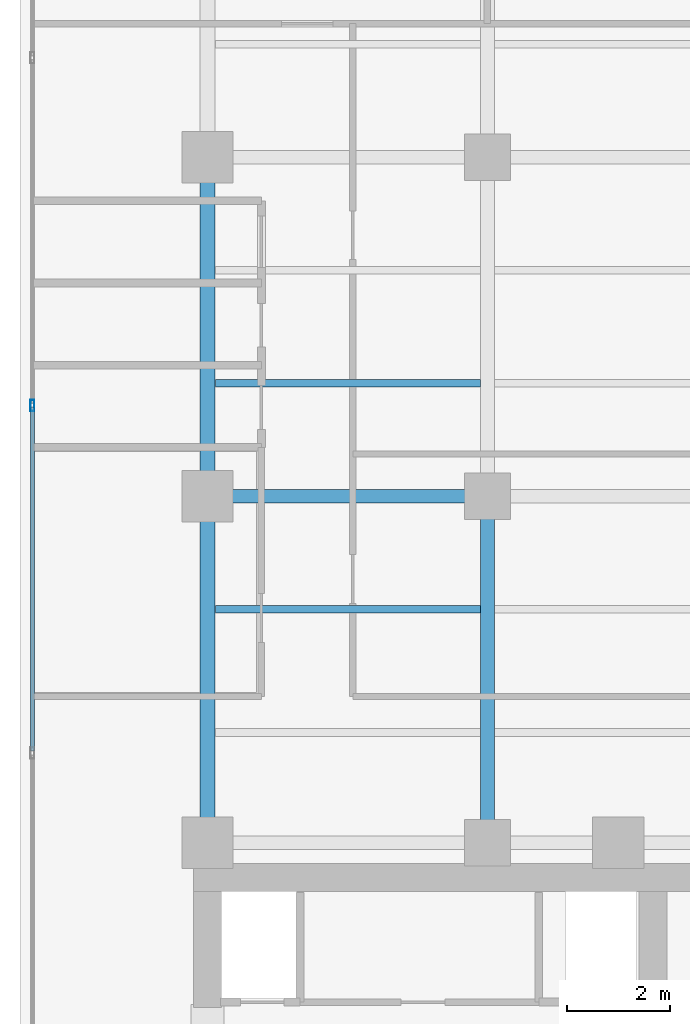
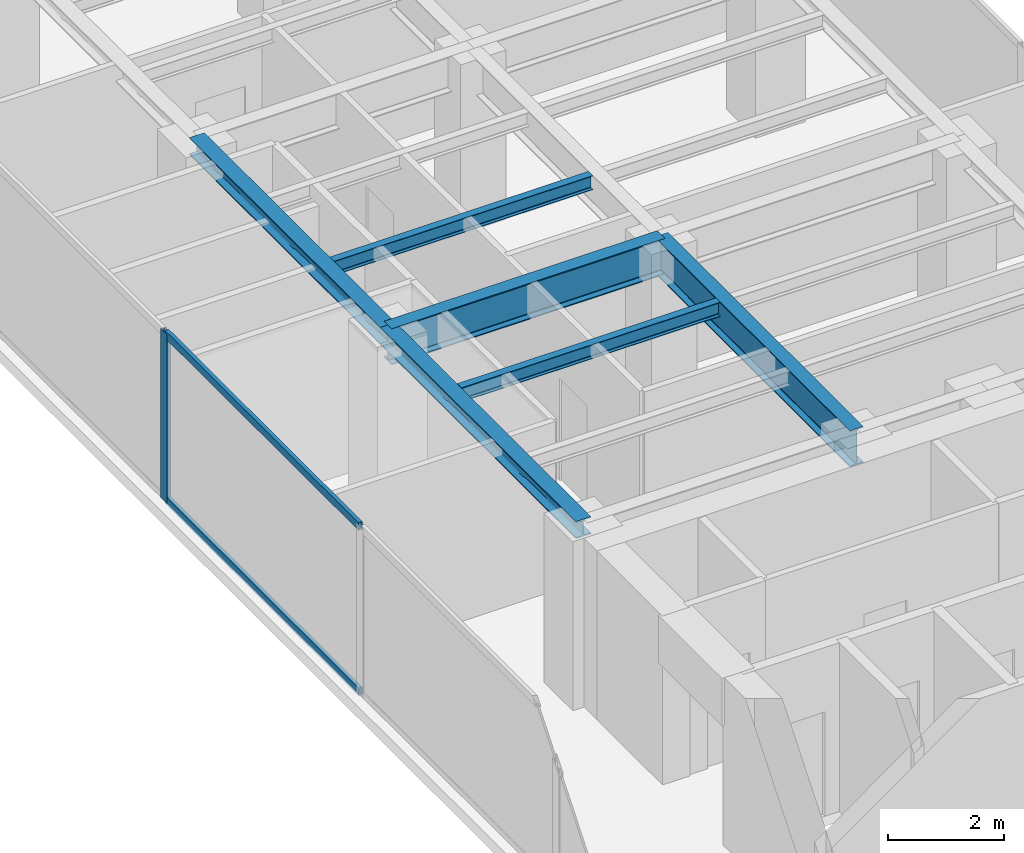
# One storey, part 8 of 23: 6 beams, 3 members, 1 element without a shape of its own.
"""IFC4 building model written with IfcOpenShell, lengths in metres."""

import ifcopenshell
import ifcopenshell.guid

model = None  # the IFC model being written
_history = None  # IfcOwnerHistory: only IFC2X3 demands one
_inside = {}  # id of a spatial element -> (the spatial element, [elements in it])
_under = {}  # id of a project, library or spatial element -> (it, [spatial elements below it])
_declared = {}  # id of a project -> (the project, [libraries it declares])
_typed = {}  # id of a type object -> (the type object, [elements of that type])
_made_of = {}  # id of a material, layer set ... -> (it, [elements and type objects made of it])


def new_model(schema):
    """Start an empty IFC model of exactly this schema.

    Asked for "IFC4X3", IfcOpenShell would pick the latest addendum, in which some entities
    have other attributes; the version numbers below select the first issue.
    IFC2X3 requires an IfcOwnerHistory on every rooted entity: one is made here for all.
    """
    global model, _history
    if schema == "IFC4X3":
        model = ifcopenshell.file(schema_version=(4, 3, 0, 0))
    else:
        model = ifcopenshell.file(schema=schema)
    _inside.clear()
    _under.clear()
    _declared.clear()
    _typed.clear()
    _made_of.clear()
    _history = None
    if model.schema == "IFC2X3":
        org = make("IfcOrganization", Name="unknown")
        user = make(
            "IfcPersonAndOrganization",
            ThePerson=make("IfcPerson", FamilyName="unknown"),
            TheOrganization=org,
        )
        app = make(
            "IfcApplication",
            ApplicationDeveloper=org,
            Version="unknown",
            ApplicationFullName="unknown",
            ApplicationIdentifier="unknown",
        )
        _history = make(
            "IfcOwnerHistory",
            OwningUser=user,
            OwningApplication=app,
            ChangeAction="ADDED",
            CreationDate=0,
        )
    return model


def make(cls, **values):
    """One entity of the class cls with the attributes given. An attribute that is None is left unset."""
    return model.create_entity(
        cls, **{name: value for name, value in values.items() if value is not None}
    )


def rooted(cls, **values):
    """An entity with a GlobalId (a new one), such as an element, a storey or a relation."""
    return make(cls, GlobalId=ifcopenshell.guid.new(), OwnerHistory=_history, **values)


def si_unit(unit_type, name, prefix=None):
    """IfcSIUnit, for example si_unit("LENGTHUNIT", "METRE", prefix="MILLI")."""
    return make("IfcSIUnit", UnitType=unit_type, Prefix=prefix, Name=name)


def assignment(units):
    """IfcUnitAssignment: the units of a project."""
    return None if units is None else make("IfcUnitAssignment", Units=units)


def point(xyz):
    """IfcCartesianPoint."""
    return None if xyz is None else make("IfcCartesianPoint", Coordinates=xyz)


def direction(xyz):
    """IfcDirection."""
    return None if xyz is None else make("IfcDirection", DirectionRatios=xyz)


def frame(location, z_axis=None, x_axis=None):
    """IfcAxis2Placement3D, a coordinate frame: its origin and axes. An axis left out is left unset."""
    return make(
        "IfcAxis2Placement3D",
        Location=point(location),
        Axis=direction(z_axis),
        RefDirection=direction(x_axis),
    )


def frame_2d(location, x_axis=None):
    """IfcAxis2Placement2D, a coordinate frame in the plane: its origin and x axis."""
    return make(
        "IfcAxis2Placement2D", Location=point(location), RefDirection=direction(x_axis)
    )


def origin():
    """The frame at (0, 0, 0) with its axes left unset."""
    return frame((0.0, 0.0, 0.0))


def origin_with_axes():
    """The frame at (0, 0, 0) with the z axis (0, 0, 1) and the x axis (1, 0, 0) written out."""
    return frame((0.0, 0.0, 0.0), z_axis=(0.0, 0.0, 1.0), x_axis=(1.0, 0.0, 0.0))


def origin_2d():
    """The frame at (0, 0) in the plane with its x axis left unset."""
    return frame_2d((0.0, 0.0))


def place(relative_to, where):
    """IfcLocalPlacement: puts the frame where relative to a parent placement (None: the world)."""
    return make(
        "IfcLocalPlacement", PlacementRelTo=relative_to, RelativePlacement=where
    )


def context(
    kind, dimensions, precision=None, world=None, true_north=None, identifier=None
):
    """IfcGeometricRepresentationContext, for example the 3D "Model" context."""
    return make(
        "IfcGeometricRepresentationContext",
        ContextIdentifier=identifier,
        ContextType=kind,
        CoordinateSpaceDimension=dimensions,
        Precision=precision,
        WorldCoordinateSystem=world,
        TrueNorth=true_north,
    )


def subcontext(parent, identifier, kind, view, scale=None):
    """IfcGeometricRepresentationSubContext, for example "Body" below "Model"."""
    return make(
        "IfcGeometricRepresentationSubContext",
        ContextIdentifier=identifier,
        ContextType=kind,
        ParentContext=parent,
        TargetScale=scale,
        TargetView=view,
    )


def project(units=None, contexts=None):
    """IfcProject with its units and contexts."""
    return rooted(
        "IfcProject",
        Name="project",
        RepresentationContexts=contexts,
        UnitsInContext=assignment(units),
    )


def spatial(cls, under=None, at=None, **own):
    """A site, building, storey or space (cls), placed at a placement, below another one or the project."""
    s = rooted(cls, ObjectPlacement=at, **own)
    if under is not None:
        _under.setdefault(under.id(), (under, []))[1].append(s)
    return s


def profile(cls, at=None, kind="AREA", **sizes):
    """A parametric profile (cls). Its sizes go by their IFC names, for example OverallWidth=200.0."""
    return make(cls, ProfileType=kind, Position=at, **sizes)


def hollow_rectangle(**sizes):
    """IfcRectangleHollowProfileDef."""
    return profile("IfcRectangleHollowProfileDef", **sizes)


def i_section(**sizes):
    """IfcIShapeProfileDef."""
    return profile("IfcIShapeProfileDef", **sizes)


def extrude(swept, where, along, depth):
    """IfcExtrudedAreaSolid: the profile swept, set in the frame where, extruded along a direction by depth."""
    return make(
        "IfcExtrudedAreaSolid",
        SweptArea=swept,
        Position=where,
        ExtrudedDirection=direction(along),
        Depth=depth,
    )


def shape(context_of_items, identifier, shape_type, items):
    """IfcShapeRepresentation: the items that make up one representation, for example the "Body"."""
    return make(
        "IfcShapeRepresentation",
        ContextOfItems=context_of_items,
        RepresentationIdentifier=identifier,
        RepresentationType=shape_type,
        Items=items,
    )


def source(mapping_origin, context_of_items, identifier, shape_type, items):
    """IfcRepresentationMap: a shape defined once, which mapped items show again and again."""
    return make(
        "IfcRepresentationMap",
        MappingOrigin=mapping_origin,
        MappedRepresentation=shape(context_of_items, identifier, shape_type, items),
    )


def transform(
    local_origin,
    x_axis=None,
    y_axis=None,
    z_axis=None,
    scale=None,
    scale2=None,
    scale3=None,
    uniform=True,
):
    """IfcCartesianTransformationOperator3D, or its non-uniform kind. x_axis, y_axis, z_axis: its Axis1, 2, 3."""
    if uniform:
        return make(
            "IfcCartesianTransformationOperator3D",
            Axis1=direction(x_axis),
            Axis2=direction(y_axis),
            LocalOrigin=point(local_origin),
            Scale=scale,
            Axis3=direction(z_axis),
        )
    return make(
        "IfcCartesianTransformationOperator3DnonUniform",
        Axis1=direction(x_axis),
        Axis2=direction(y_axis),
        LocalOrigin=point(local_origin),
        Scale=scale,
        Axis3=direction(z_axis),
        Scale2=scale2,
        Scale3=scale3,
    )


def mapped(mapping_source, mapping_target):
    """IfcMappedItem: shows the shape of a source again, moved by a transform."""
    return make(
        "IfcMappedItem", MappingSource=mapping_source, MappingTarget=mapping_target
    )


def material(Name=None, Category=None):
    """IfcMaterial."""
    return make("IfcMaterial", Name=Name, Category=Category)


def layer(
    of_material, thickness, ventilated=None, Name=None, Category=None, Priority=None
):
    """IfcMaterialLayer: one layer of a wall or slab, of a material (None: an air gap)."""
    return make(
        "IfcMaterialLayer",
        Material=of_material,
        LayerThickness=thickness,
        IsVentilated=ventilated,
        Name=Name,
        Category=Category,
        Priority=Priority,
    )


def layer_set(layers, Name=None):
    """IfcMaterialLayerSet."""
    return make("IfcMaterialLayerSet", MaterialLayers=layers, LayerSetName=Name)


def material_profile(
    of_material, cross_section, Name=None, Category=None, Priority=None
):
    """IfcMaterialProfile: a cross section and its material."""
    return make(
        "IfcMaterialProfile",
        Name=Name,
        Material=of_material,
        Profile=cross_section,
        Priority=Priority,
        Category=Category,
    )


def profile_set(profiles, Name=None, composite=None):
    """IfcMaterialProfileSet."""
    return make(
        "IfcMaterialProfileSet",
        Name=Name,
        MaterialProfiles=profiles,
        CompositeProfile=composite,
    )


def made_of(thing, what):
    """Note that an element or type object is made of a material, layer set ...; save() writes the relation."""
    if what is not None:
        _made_of.setdefault(what.id(), (what, []))[1].append(thing)
    return thing


def type_object(cls, material=None, **own):
    """A type object (cls), such as IfcWallType, which elements share."""
    return made_of(rooted(cls, **own), material)


def element(
    cls,
    number,
    at=None,
    inside=None,
    cuts=None,
    type_object=None,
    material=None,
    context=None,
    identifier="Body",
    shape_type=None,
    held_by="IfcProductDefinitionShape",
    body=None,
    shapes=None,
    **own,
):
    """One element of the class cls, such as IfcWall. Its Tag is "e" and its number.

    at: its placement. inside: the storey or other place that contains it. cuts: it is an
    opening in that element (IfcRelVoidsElement). A single representation is given by context,
    identifier, shape_type and body (its items); several are given by shapes. held_by: the class
    of the entity that holds the representations. save() writes the other relations.
    """
    e = rooted(cls, Tag="e%d" % number, ObjectPlacement=at, **own)
    if body is not None:
        shapes = [shape(context, identifier, shape_type, body)]
    if shapes is not None:
        e.Representation = make(held_by, Representations=shapes)
    if inside is not None:
        _inside.setdefault(inside.id(), (inside, []))[1].append(e)
    if cuts is not None:
        rooted(
            "IfcRelVoidsElement", RelatingBuildingElement=cuts, RelatedOpeningElement=e
        )
    if type_object is not None:
        _typed.setdefault(type_object.id(), (type_object, []))[1].append(e)
    return made_of(e, material)


def aggregate(whole, parts):
    """IfcRelAggregates: a whole, such as a stair, and the parts it consists of."""
    return rooted("IfcRelAggregates", RelatingObject=whole, RelatedObjects=parts)


def save(model, path):
    """Write the relations noted so far, then the file.

    IfcRelAggregates (storeys below a building ...), IfcRelContainedInSpatialStructure (elements
    in a storey), IfcRelDefinesByType, IfcRelAssociatesMaterial and IfcRelDeclares: one each for
    every whole, place, type object, material and project.
    """
    for whole, parts in _under.values():
        aggregate(whole, parts)
    for where, things in _inside.values():
        rooted(
            "IfcRelContainedInSpatialStructure",
            RelatedElements=things,
            RelatingStructure=where,
        )
    for kind, things in _typed.values():
        rooted("IfcRelDefinesByType", RelatedObjects=things, RelatingType=kind)
    for what, things in _made_of.values():
        rooted("IfcRelAssociatesMaterial", RelatedObjects=things, RelatingMaterial=what)
    for by, libraries in _declared.values():
        rooted("IfcRelDeclares", RelatingContext=by, RelatedDefinitions=libraries)
    model.write(path)


model = new_model("IFC4")

# Units and contexts
model_context = context("Model", 3, precision=1e-05, world=origin(), true_north=direction((0.0, 1.0)))
body_context = subcontext(model_context, "Body", "Model", "MODEL_VIEW")
ifc_project = project(units=[si_unit("LENGTHUNIT", "METRE"), si_unit("AREAUNIT", "SQUARE_METRE"), si_unit("VOLUMEUNIT", "CUBIC_METRE"), si_unit("PLANEANGLEUNIT", "RADIAN"), si_unit("MASSUNIT", "GRAM", prefix="KILO")], contexts=[model_context])

# Site, building, storey
site_placement = place(None, origin())
site = spatial("IfcSite", under=ifc_project, at=site_placement, CompositionType="ELEMENT")
building_placement = place(site_placement, origin())
building = spatial("IfcBuilding", under=site, at=building_placement, Name="Kolvaren Waterfront Exchange", CompositionType="ELEMENT")
storey_placement = place(building_placement, frame((0.0, 0.0, 250.10009765625)))
storey = spatial("IfcBuildingStorey", under=building, at=storey_placement, Name="L64", CompositionType="ELEMENT", Elevation=250.10009765625)

# Beams
ifc_material_1 = material(Name="Steel S355", Category="steel")
ifc_material_profile_1 = material_profile(ifc_material_1, i_section(OverallWidth=0.300048828125, OverallDepth=0.360107421875, WebThickness=0.012451171875, FlangeThickness=0.0224609375, FilletRadius=0.027099609375, at=origin_2d()), Name="HEB360")
ifc_profile_set_1 = profile_set([ifc_material_profile_1], Name="Steel S355")
beam_type_1 = type_object("IfcBeamType", Name="STR-BM-HEB360", PredefinedType="SPANDREL", material=ifc_profile_set_1)
beam_1_placement = place(storey_placement, frame((7.449951171875, 24.449951171875, 3.3798828125), z_axis=(0.0, 1.0, 0.0), x_axis=(-1.0, 0.0, 0.0)))
element("IfcBeam", 1, at=beam_1_placement, inside=storey, type_object=beam_type_1, Name="L64 north-arm edge beam 1", PredefinedType="SPANDREL", context=body_context, shape_type="SweptSolid", body=[
    extrude(i_section(OverallWidth=0.300048828125, OverallDepth=0.360107421875, WebThickness=0.012451171875, FlangeThickness=0.0224609375, FilletRadius=0.027099609375, at=origin_2d()), origin(), (0.0, 0.0, 1.0), 6.75),
])
beam_2_placement = place(storey_placement, frame((7.449951171875, 31.199951171875, 3.3798828125), z_axis=(0.0, 1.0, 0.0), x_axis=(-1.0, 0.0, 0.0)))
element("IfcBeam", 2, at=beam_2_placement, inside=storey, type_object=beam_type_1, Name="L64 north-arm edge beam 2", PredefinedType="SPANDREL", context=body_context, shape_type="SweptSolid", body=[
    extrude(i_section(OverallWidth=0.300048828125, OverallDepth=0.360107421875, WebThickness=0.012451171875, FlangeThickness=0.0224609375, FilletRadius=0.027099609375, at=origin_2d()), origin(), (0.0, 0.0, 1.0), 6.60009765625),
])
ifc_material_profile_2 = material_profile(ifc_material_1, i_section(OverallWidth=0.14990234375, OverallDepth=0.300048828125, WebThickness=0.007080078125, FlangeThickness=0.0107421875, FilletRadius=0.014892578125, at=origin_2d()), Name="IPE300")
ifc_profile_set_2 = profile_set([ifc_material_profile_2], Name="Steel S355")
beam_type_2 = type_object("IfcBeamType", Name="STR-BM-IPE300", PredefinedType="JOIST", material=ifc_profile_set_2)
for number, where, z_axis, x_axis, name in (
    (3, (7.60205078125, 29.0, 3.409912109375), (1.0, 0.0, 0.0), (0.0, 1.0, 0.0), "L64 north-arm composite joist 2A"),
    (4, (7.60205078125, 33.39990234375, 3.409912109375), (1.0, 0.0, 0.0), (0.0, 1.0, 0.0), "L64 north-arm composite joist 3A"),
):
    element("IfcBeam", number, at=place(storey_placement, frame(where, z_axis=z_axis, x_axis=x_axis)), inside=storey, type_object=beam_type_2, Name=name, PredefinedType="JOIST", context=body_context, shape_type="SweptSolid", body=[
        extrude(i_section(OverallWidth=0.14990234375, OverallDepth=0.300048828125, WebThickness=0.007080078125, FlangeThickness=0.0107421875, FilletRadius=0.014892578125, at=origin_2d()), origin(), (0.0, 0.0, 1.0), 5.162353515625),
    ])
ifc_material_profile_3 = material_profile(ifc_material_1, i_section(OverallWidth=0.26708984375, OverallDepth=0.761962890625, WebThickness=0.014404296875, FlangeThickness=0.021484375, FilletRadius=0.01708984375, at=origin_2d()), Name="IPE750x173")
ifc_profile_set_3 = profile_set([ifc_material_profile_3], Name="Steel S355")
beam_type_3 = type_object("IfcBeamType", Name="STR-BM-IPE750", PredefinedType="BEAM", material=ifc_profile_set_3)
beam_3_placement = place(storey_placement, frame((7.449951171875, 31.199951171875, 3.178955078125), z_axis=(1.0, 0.0, 0.0), x_axis=(0.0, 1.0, 0.0)))
element("IfcBeam", 5, at=beam_3_placement, inside=storey, type_object=beam_type_3, Name="L64 north-arm girder 2A", PredefinedType="BEAM", context=body_context, shape_type="SweptSolid", body=[
    extrude(i_section(OverallWidth=0.26708984375, OverallDepth=0.761962890625, WebThickness=0.014404296875, FlangeThickness=0.021484375, FilletRadius=0.01708984375, at=origin_2d()), origin(), (0.0, 0.0, 1.0), 5.449951171875),
])
beam_4_placement = place(storey_placement, frame((12.89990234375, 24.449951171875, 3.178955078125), z_axis=(0.0, 1.0, 0.0), x_axis=(-1.0, 0.0, 0.0)))
element("IfcBeam", 6, at=beam_4_placement, inside=storey, type_object=beam_type_3, Name="L64 north-arm edge beam 1", PredefinedType="BEAM", context=body_context, shape_type="SweptSolid", body=[
    extrude(i_section(OverallWidth=0.26708984375, OverallDepth=0.761962890625, WebThickness=0.014404296875, FlangeThickness=0.021484375, FilletRadius=0.01708984375, at=origin_2d()), origin(), (0.0, 0.0, 1.0), 6.75),
])

# Curtain wall, members
ifc_material_2 = material(Name="Anodised aluminium 6063-T6", Category="aluminium")
ifc_layer = layer(ifc_material_2, 0.219970703125, Name="Anodised aluminium 6063-T6")
ifc_layer_set = layer_set([ifc_layer], Name="Anodised aluminium 6063-T6")
curtain_wall_type = type_object("IfcCurtainWallType", Name="ARC-CW-SYS2", PredefinedType="USERDEFINED", material=ifc_layer_set)
curtain_wall_placement = place(storey_placement, origin())
curtain_wall = element("IfcCurtainWall", 7, at=curtain_wall_placement, inside=storey, type_object=curtain_wall_type, Name="L64 stick curtain wall CW2 (CW-L64-W)", ObjectType="STICK CURTAIN WALL", PredefinedType="USERDEFINED")
ifc_material_profile_4 = material_profile(ifc_material_2, hollow_rectangle(XDim=0.074951171875, YDim=0.159912109375, WallThickness=0.00439453125, at=origin_2d()), Name="ALU-TRN-160x75x4.5")
ifc_profile_set_4 = profile_set([ifc_material_profile_4], Name="Anodised aluminium 6063-T6")
member_type_1 = type_object("IfcMemberType", Name="ARC-CWT-160", PredefinedType="USERDEFINED", material=ifc_profile_set_4)
shared_shape_1 = source(origin_with_axes(), body_context, "Body", "SweptSolid", [
    extrude(hollow_rectangle(XDim=0.074951171875, YDim=0.159912109375, WallThickness=0.00439453125, at=origin_2d()), origin(), (0.0, 0.0, 1.0), 6.686767578125),
])
member_1_placement = place(storey_placement, frame((4.0400390625, 26.239990234375, 0.037353515625), z_axis=(0.0, 1.0, 0.0), x_axis=(-1.0, 0.0, 0.0)))
member_1 = element("IfcMember", 8, at=member_1_placement, type_object=member_type_1, Name="CW2 transom 4.1", ObjectType="TRANSOM", PredefinedType="USERDEFINED", context=body_context, shape_type="MappedRepresentation", body=[
    mapped(shared_shape_1, transform((0.0, 0.0, 0.0), x_axis=(1.0, 0.0, 0.0), y_axis=(0.0, 1.0, 0.0), z_axis=(0.0, 0.0, 1.0), scale=1.0)),
])
member_2_placement = place(storey_placement, frame((4.0400390625, 26.239990234375, 3.5224609375), z_axis=(0.0, 1.0, 0.0), x_axis=(-1.0, 0.0, 0.0)))
member_2 = element("IfcMember", 9, at=member_2_placement, type_object=member_type_1, Name="CW2 transom 4.2", ObjectType="TRANSOM", PredefinedType="USERDEFINED", context=body_context, shape_type="MappedRepresentation", body=[
    mapped(shared_shape_1, transform((0.0, 0.0, 0.0), x_axis=(1.0, 0.0, 0.0), y_axis=(0.0, 1.0, 0.0), z_axis=(0.0, 0.0, 1.0), scale=1.0)),
])
ifc_material_profile_5 = material_profile(ifc_material_2, hollow_rectangle(XDim=0.080078125, YDim=0.219970703125, WallThickness=0.0048828125, at=origin_2d()), Name="ALU-MUL-220x80x5")
ifc_profile_set_5 = profile_set([ifc_material_profile_5], Name="Anodised aluminium 6063-T6")
member_type_2 = type_object("IfcMemberType", Name="ARC-CWM-220", PredefinedType="MULLION", material=ifc_profile_set_5)
shared_shape_2 = source(origin_with_axes(), body_context, "Body", "SweptSolid", [
    extrude(hollow_rectangle(XDim=0.080078125, YDim=0.219970703125, WallThickness=0.0048828125, at=origin_2d()), origin(), (0.0, 0.0, 1.0), 3.559814453125),
])
member_3_placement = place(storey_placement, frame((4.0400390625, 32.966552734375, 0.0), z_axis=(0.0, 0.0, 1.0), x_axis=(-1.0, 0.0, 0.0)))
member_3 = element("IfcMember", 10, at=member_3_placement, type_object=member_type_2, Name="CW2 mullion 5", PredefinedType="MULLION", context=body_context, shape_type="MappedRepresentation", body=[
    mapped(shared_shape_2, transform((0.0, 0.0, 0.0), x_axis=(1.0, 0.0, 0.0), y_axis=(0.0, 1.0, 0.0), z_axis=(0.0, 0.0, 1.0), scale=1.0)),
])
aggregate(curtain_wall, [member_3, member_1, member_2])

save(model, "model.ifc")
